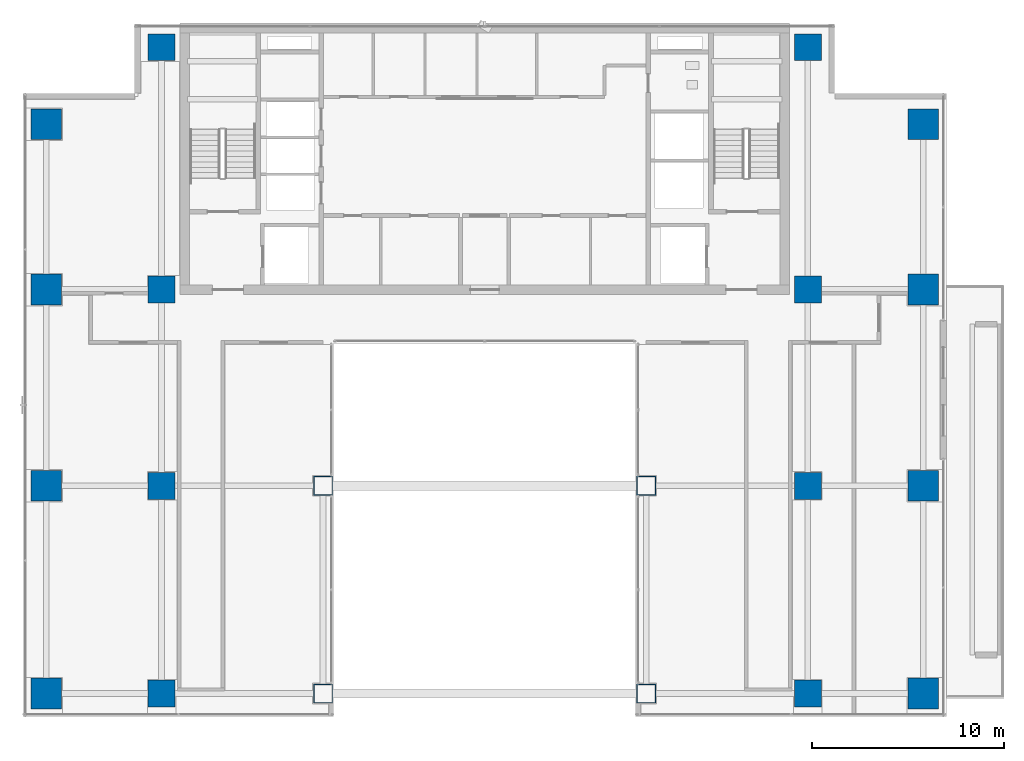
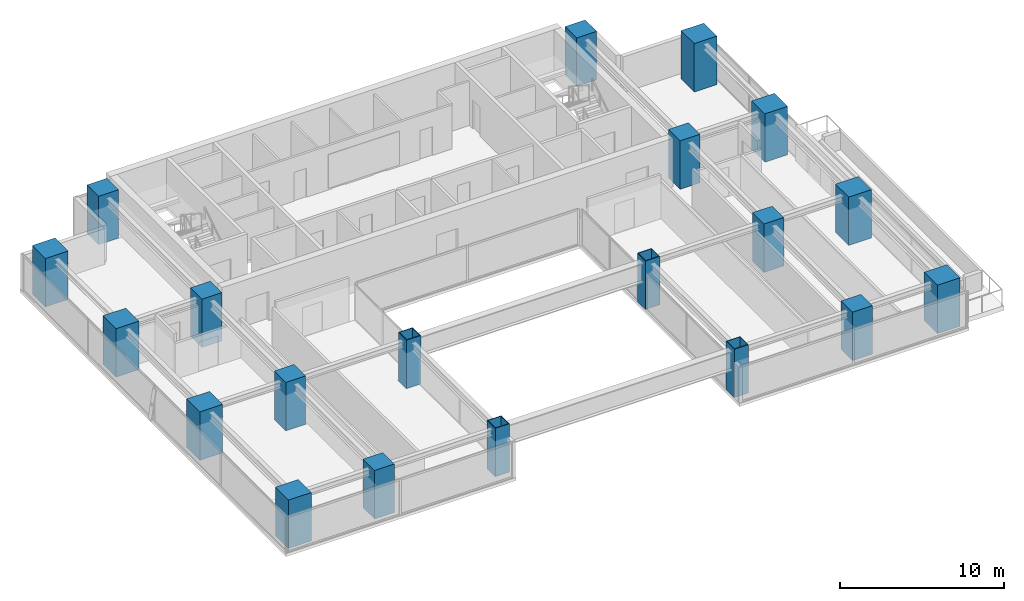
# One storey, part 1 of 32: 20 columns.
"""IFC4 building model written with IfcOpenShell, lengths in metres."""

from ifc_helpers import new_model, si_unit, direction, frame, origin, origin_2d, place, context, subcontext, project, spatial, rectangle, hollow_rectangle, extrude, source, transform, mapped, material, material_profile, profile_set, type_object, element, save


model = new_model("IFC4")

# Units and contexts
model_context = context("Model", 3, precision=1e-05, world=origin(), true_north=direction((0.0, 1.0)))
body_context = subcontext(model_context, "Body", "Model", "MODEL_VIEW")
ifc_project = project(units=[si_unit("LENGTHUNIT", "METRE"), si_unit("AREAUNIT", "SQUARE_METRE"), si_unit("VOLUMEUNIT", "CUBIC_METRE"), si_unit("PLANEANGLEUNIT", "RADIAN"), si_unit("MASSUNIT", "GRAM", prefix="KILO")], contexts=[model_context])

# Site, building, storey
site_placement = place(None, origin())
site = spatial("IfcSite", under=ifc_project, at=site_placement, CompositionType="ELEMENT")
building_placement = place(site_placement, origin())
building = spatial("IfcBuilding", under=site, at=building_placement, Name="Sumidabori Civic Tower", CompositionType="ELEMENT")
storey_placement = place(building_placement, frame((0.0, 0.0, 225.199951171875)))
storey = spatial("IfcBuildingStorey", under=building, at=storey_placement, Name="L58", CompositionType="ELEMENT", Elevation=225.199951171875)

# Columns
ifc_material_1 = material(Name="Concrete C60/75", Category="concrete")
ifc_material_profile_1 = material_profile(ifc_material_1, rectangle(XDim=1.60009765625, YDim=1.60009765625, at=origin_2d()), Name="RC 1600x1600")
ifc_profile_set_1 = profile_set([ifc_material_profile_1], Name="Concrete C60/75")
column_type_1 = type_object("IfcColumnType", Name="CL-MEGA-1600", PredefinedType="COLUMN", material=ifc_profile_set_1)
shared_shape_1 = source(origin(), body_context, "Body", "SweptSolid", [
    extrude(rectangle(XDim=1.60009765625, YDim=1.60009765625, at=origin_2d()), origin(), (0.0, 0.0, 1.0), 3.60009765625),
])
for number, where, z_axis, x_axis, name in (
    (1, (-22.800048828125, -10.800048828125, 0.0), (0.0, 0.0, 1.0), (1.0, 0.0, 0.0), "Column MC-W23-Y11S L58"),
    (2, (-22.800048828125, 0.0, 0.0), (0.0, 0.0, 1.0), (1.0, 0.0, 0.0), "Column MC-W23-Y00 L58"),
    (3, (-22.800048828125, 10.199951171875, 0.0), (0.0, 0.0, 1.0), (1.0, 0.0, 0.0), "Column MC-W23-Y10N L58"),
    (4, (-22.800048828125, 18.800048828125, 0.0), (0.0, 0.0, 1.0), (1.0, 0.0, 0.0), "Column MC-W23-Y19N L58"),
    (5, (22.800048828125, -10.800048828125, 0.0), (0.0, 0.0, 1.0), (1.0, 0.0, 0.0), "Column MC-E23-Y11S L58"),
    (6, (22.800048828125, 0.0, 0.0), (0.0, 0.0, 1.0), (1.0, 0.0, 0.0), "Column MC-E23-Y00 L58"),
    (7, (22.800048828125, 10.199951171875, 0.0), (0.0, 0.0, 1.0), (1.0, 0.0, 0.0), "Column MC-E23-Y10N L58"),
    (8, (22.800048828125, 18.800048828125, 0.0), (0.0, 0.0, 1.0), (1.0, 0.0, 0.0), "Column MC-E23-Y19N L58"),
):
    element("IfcColumn", number, at=place(storey_placement, frame(where, z_axis=z_axis, x_axis=x_axis)), inside=storey, type_object=column_type_1, Name=name, PredefinedType="COLUMN", context=body_context, shape_type="MappedRepresentation", body=[
        mapped(shared_shape_1, transform((0.0, 0.0, 0.0), x_axis=(1.0, 0.0, 0.0), y_axis=(0.0, 1.0, 0.0), z_axis=(0.0, 0.0, 1.0), scale=1.0)),
    ])
ifc_material_2 = material(Name="Steel SM570", Category="steel")
ifc_material_profile_2 = material_profile(ifc_material_2, hollow_rectangle(XDim=1.0, YDim=1.0, WallThickness=0.044921875, at=origin_2d()), Name="SHS 1000x1000x45")
ifc_profile_set_2 = profile_set([ifc_material_profile_2], Name="Steel SM570")
column_type_2 = type_object("IfcColumnType", Name="CL-PORTAL-SHS1000", PredefinedType="COLUMN", material=ifc_profile_set_2)
shared_shape_2 = source(origin(), body_context, "Body", "SweptSolid", [
    extrude(hollow_rectangle(XDim=1.0, YDim=1.0, WallThickness=0.044921875, at=origin_2d()), origin(), (0.0, 0.0, 1.0), 3.60009765625),
])
for number, where, z_axis, x_axis, name in (
    (9, (-8.39990234375, 0.0, 0.0), (0.0, 0.0, 1.0), (1.0, 0.0, 0.0), "Column MC-W08-Y00 L58"),
    (10, (-8.39990234375, -10.800048828125, 0.0), (0.0, 0.0, 1.0), (1.0, 0.0, 0.0), "Column MC-W08-Y11S L58"),
    (11, (8.39990234375, 0.0, 0.0), (0.0, 0.0, 1.0), (1.0, 0.0, 0.0), "Column MC-E08-Y00 L58"),
    (12, (8.39990234375, -10.800048828125, 0.0), (0.0, 0.0, 1.0), (1.0, 0.0, 0.0), "Column MC-E08-Y11S L58"),
):
    element("IfcColumn", number, at=place(storey_placement, frame(where, z_axis=z_axis, x_axis=x_axis)), inside=storey, type_object=column_type_2, Name=name, PredefinedType="COLUMN", context=body_context, shape_type="MappedRepresentation", body=[
        mapped(shared_shape_2, transform((0.0, 0.0, 0.0), x_axis=(1.0, 0.0, 0.0), y_axis=(0.0, 1.0, 0.0), z_axis=(0.0, 0.0, 1.0), scale=1.0)),
    ])
ifc_material_profile_3 = material_profile(ifc_material_1, rectangle(XDim=1.39990234375, YDim=1.39990234375, at=origin_2d()), Name="RC 1400x1400")
ifc_profile_set_3 = profile_set([ifc_material_profile_3], Name="Concrete C60/75")
column_type_3 = type_object("IfcColumnType", Name="CL-MEGA-1400", PredefinedType="COLUMN", material=ifc_profile_set_3)
shared_shape_3 = source(origin(), body_context, "Body", "SweptSolid", [
    extrude(rectangle(XDim=1.39990234375, YDim=1.39990234375, at=origin_2d()), origin(), (0.0, 0.0, 1.0), 3.60009765625),
])
for number, where, z_axis, x_axis, name in (
    (13, (-16.800048828125, -10.800048828125, 0.0), (0.0, 0.0, 1.0), (1.0, 0.0, 0.0), "Column MC-W16-Y11S L58"),
    (14, (-16.800048828125, 0.0, 0.0), (0.0, 0.0, 1.0), (1.0, 0.0, 0.0), "Column MC-W16-Y00 L58"),
    (15, (-16.800048828125, 10.199951171875, 0.0), (0.0, 0.0, 1.0), (1.0, 0.0, 0.0), "Column MC-W16-Y10N L58"),
    (16, (-16.800048828125, 22.800048828125, 0.0), (0.0, 0.0, 1.0), (1.0, 0.0, 0.0), "Column MC-W16-Y23N L58"),
    (17, (16.800048828125, -10.800048828125, 0.0), (0.0, 0.0, 1.0), (1.0, 0.0, 0.0), "Column MC-E16-Y11S L58"),
    (18, (16.800048828125, 0.0, 0.0), (0.0, 0.0, 1.0), (1.0, 0.0, 0.0), "Column MC-E16-Y00 L58"),
    (19, (16.800048828125, 10.199951171875, 0.0), (0.0, 0.0, 1.0), (1.0, 0.0, 0.0), "Column MC-E16-Y10N L58"),
    (20, (16.800048828125, 22.800048828125, 0.0), (0.0, 0.0, 1.0), (1.0, 0.0, 0.0), "Column MC-E16-Y23N L58"),
):
    element("IfcColumn", number, at=place(storey_placement, frame(where, z_axis=z_axis, x_axis=x_axis)), inside=storey, type_object=column_type_3, Name=name, PredefinedType="COLUMN", context=body_context, shape_type="MappedRepresentation", body=[
        mapped(shared_shape_3, transform((0.0, 0.0, 0.0), x_axis=(1.0, 0.0, 0.0), y_axis=(0.0, 1.0, 0.0), z_axis=(0.0, 0.0, 1.0), scale=1.0)),
    ])

save(model, "model.ifc")
